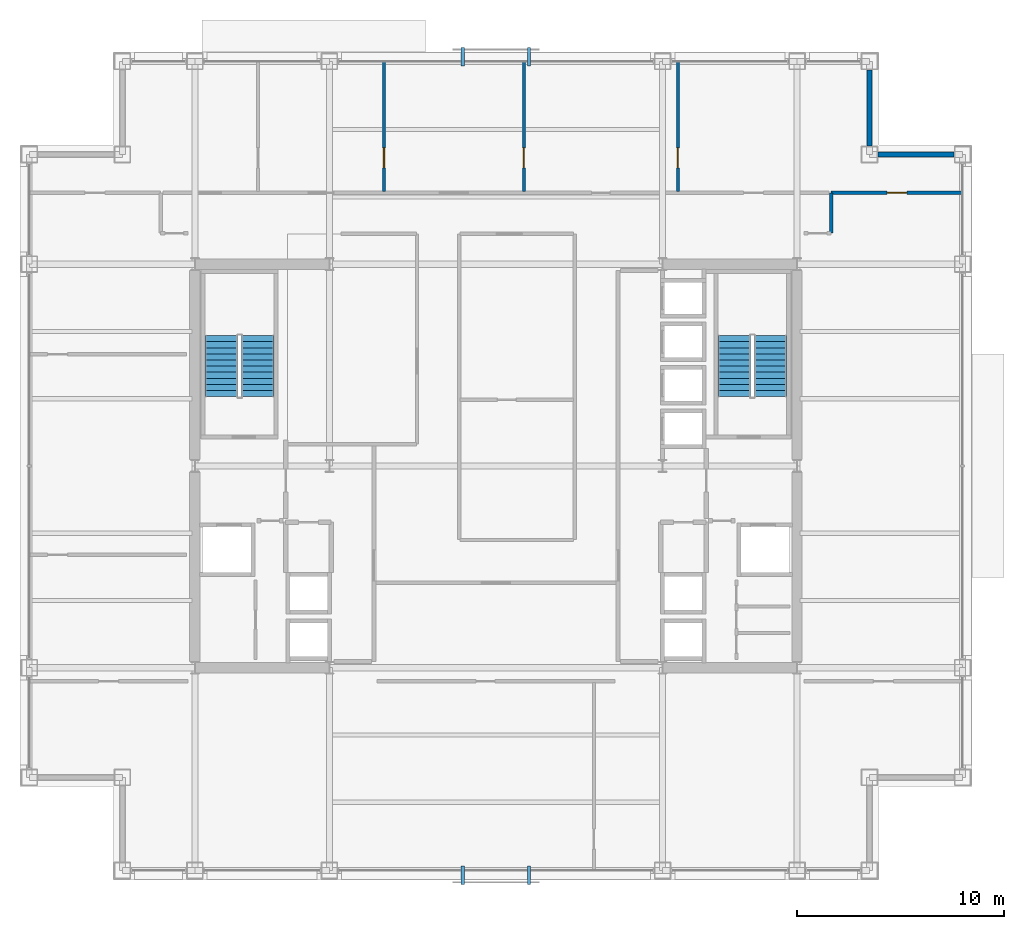
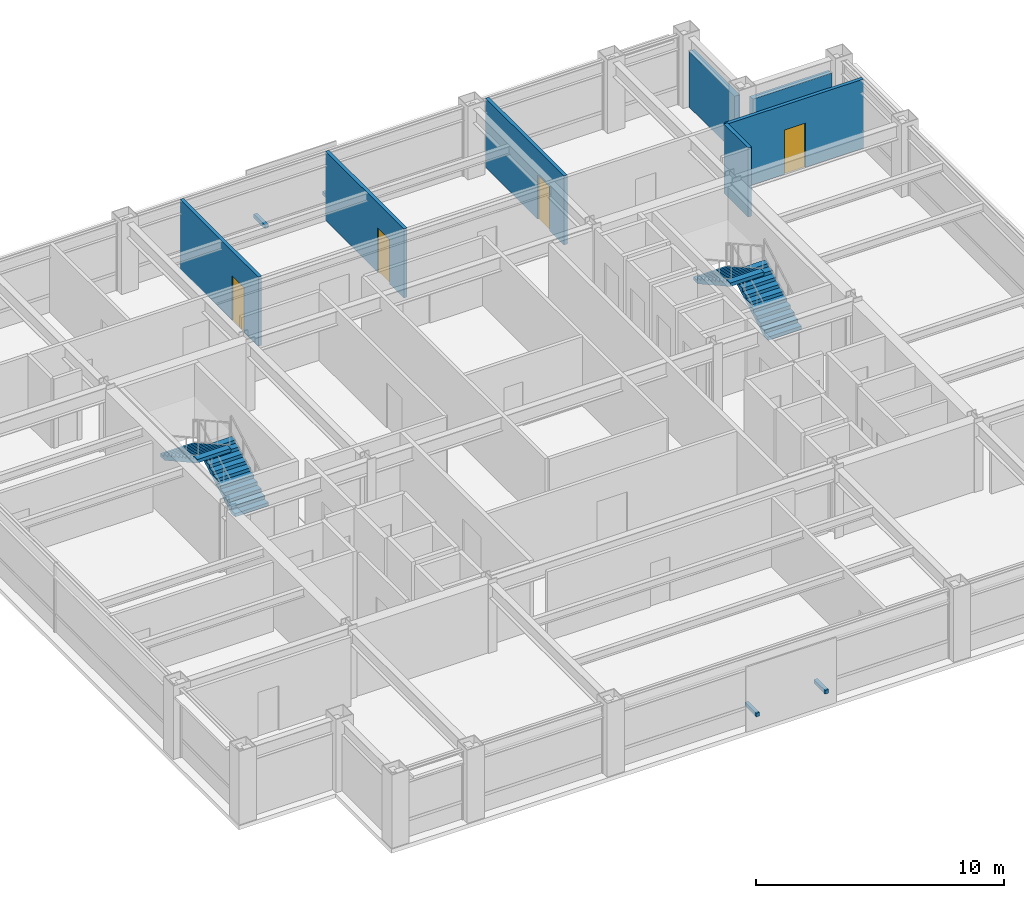
# One storey, part 27 of 28: 7 walls, 4 discrete accessories, 4 doors, 4 stair flights, 4 openings, 2 elements without a shape of their own.
"""IFC4 building model written with IfcOpenShell, lengths in metres."""

from ifc_helpers import new_model, si_unit, direction, frame, frame_2d, origin, origin_2d, place, context, subcontext, project, spatial, polyline, rectangle, outline, extrude, material, layer, layer_set, type_object, element, fill, aggregate, save


model = new_model("IFC4")

# Units and contexts
model_context = context("Model", 3, precision=1e-05, world=origin(), true_north=direction((0.0, 1.0)))
body_context = subcontext(model_context, "Body", "Model", "MODEL_VIEW")
ifc_project = project(units=[si_unit("LENGTHUNIT", "METRE"), si_unit("AREAUNIT", "SQUARE_METRE"), si_unit("VOLUMEUNIT", "CUBIC_METRE"), si_unit("PLANEANGLEUNIT", "RADIAN"), si_unit("MASSUNIT", "GRAM", prefix="KILO")], contexts=[model_context])

# Site, building, storey
site_placement = place(None, origin())
site = spatial("IfcSite", under=ifc_project, at=site_placement, CompositionType="ELEMENT")
building_placement = place(site_placement, origin())
building = spatial("IfcBuilding", under=site, at=building_placement, Name="Brelmoor Portico Tower", CompositionType="ELEMENT")
storey_placement = place(building_placement, frame((0.0, 0.0, 142.199951171875)))
storey = spatial("IfcBuildingStorey", under=building, at=storey_placement, Name="L37", CompositionType="ELEMENT", Elevation=142.199951171875)

# Walls
ifc_material_1 = material(Name="Precast Concrete C40 Insulated Facade Wall", Category="concrete")
ifc_layer_1 = layer(ifc_material_1, 0.25)
ifc_layer_set_1 = layer_set([ifc_layer_1], Name="Precast Concrete C40 Insulated Facade Wall")
wall_type_1 = type_object("IfcWallType", Name="WL-EXT-250", PredefinedType="STANDARD", material=ifc_layer_set_1)
for number, where, z_axis, x_axis, name in (
    (1, (18.4599609375, 15.050048828125, 0.0), (0.0, 0.0, 1.0), (1.0, 0.0, 0.0), "L37 Corner Notch Facade Wall NNEH1"),
    (2, (18.050048828125, 15.4599609375, 0.0), (0.0, 0.0, 1.0), (0.0, 1.0, 0.0), "L37 Corner Notch Facade Wall NNEV1"),
):
    element("IfcWall", number, at=place(storey_placement, frame(where, z_axis=z_axis, x_axis=x_axis)), inside=storey, type_object=wall_type_1, Name=name, PredefinedType="STANDARD", context=body_context, shape_type="SweptSolid", body=[
        extrude(rectangle(XDim=3.679931640625, YDim=0.25, at=frame_2d((1.83984375, 0.0))), origin(), (0.0, 0.0, 1.0), 2.75),
    ])

# Wall, opening, door
ifc_material_2 = material(Name="Twin-Frame Acoustic Partition", Category="gypsum")
ifc_layer_2 = layer(ifc_material_2, 0.159912109375)
ifc_layer_set_2 = layer_set([ifc_layer_2], Name="Twin-Frame Acoustic Partition")
wall_type_2 = type_object("IfcWallType", Name="WL-PART-160", PredefinedType="PARTITIONING", material=ifc_layer_set_2)
wall_1_placement = place(storey_placement, frame((-5.4111328125, 13.260009765625, 0.0), z_axis=(0.0, 0.0, 1.0), x_axis=(0.0, 1.0, 0.0)))
wall_1 = element("IfcWall", 3, at=wall_1_placement, inside=storey, type_object=wall_type_2, Name="L37 North Suite Partition 2", PredefinedType="PARTITIONING", context=body_context, shape_type="SweptSolid", body=[
    extrude(rectangle(XDim=6.300048828125, YDim=0.159912109375, at=frame_2d((3.14990234375, 0.0))), origin(), (0.0, 0.0, 1.0), 3.400146484375),
])
opening_1_placement = place(wall_1_placement, frame((1.14990234375, 0.0, 0.0)))
opening_1 = element("IfcOpeningElement", 4, at=opening_1_placement, cuts=wall_1, Name="Opening D-IN2", PredefinedType="OPENING", context=body_context, shape_type="SweptSolid", body=[
    extrude(rectangle(XDim=0.9599609375, YDim=2.179931640625, at=frame_2d((0.47998046875, 1.08984375))), frame((0.0, 0.08984375, 0.0), z_axis=(0.0, -1.0, 0.0), x_axis=(1.0, 0.0, 0.0)), (0.0, 0.0, 1.0), 0.179931640625),
])
ifc_material_3 = material(Name="Lacquered Timber Suite Door", Category="wood")
door_type = type_object("IfcDoorType", Name="DR-INT-950", OperationType="NOTDEFINED", PredefinedType="DOOR", material=ifc_material_3)
door_1_placement = place(opening_1_placement, origin())
door_1 = element("IfcDoor", 5, at=door_1_placement, inside=storey, type_object=door_type, Name="D-1621 L37 North Suite Connecting Door 2", OperationType="SINGLE_SWING_LEFT", OverallHeight=2.179931640625, OverallWidth=0.9599609375, PredefinedType="DOOR", context=body_context, shape_type="SweptSolid", body=[
    extrude(rectangle(XDim=0.9599609375, YDim=2.179931640625, at=frame_2d((0.47998046875, 1.08984375))), frame((0.0, 0.02490234375, 0.0), z_axis=(0.0, -1.0, 0.0), x_axis=(1.0, 0.0, 0.0)), (0.0, 0.0, 1.0), 0.050048828125),
])
fill(opening_1, door_1)

wall_2_placement = place(storey_placement, frame((1.352783203125, 13.260009765625, 0.0), z_axis=(0.0, 0.0, 1.0), x_axis=(0.0, 1.0, 0.0)))
wall_2 = element("IfcWall", 6, at=wall_2_placement, inside=storey, type_object=wall_type_2, Name="L37 North Suite Partition 3", PredefinedType="PARTITIONING", context=body_context, shape_type="SweptSolid", body=[
    extrude(rectangle(XDim=6.300048828125, YDim=0.159912109375, at=frame_2d((3.14990234375, 0.0))), origin(), (0.0, 0.0, 1.0), 3.400146484375),
])
opening_2_placement = place(wall_2_placement, frame((1.14990234375, 0.0, 0.0)))
opening_2 = element("IfcOpeningElement", 7, at=opening_2_placement, cuts=wall_2, Name="Opening D-IN2", PredefinedType="OPENING", context=body_context, shape_type="SweptSolid", body=[
    extrude(rectangle(XDim=0.9599609375, YDim=2.179931640625, at=frame_2d((0.47998046875, 1.08984375))), frame((0.0, 0.08984375, 0.0), z_axis=(0.0, -1.0, 0.0), x_axis=(1.0, 0.0, 0.0)), (0.0, 0.0, 1.0), 0.179931640625),
])
door_2_placement = place(opening_2_placement, origin())
door_2 = element("IfcDoor", 8, at=door_2_placement, inside=storey, type_object=door_type, Name="D-1622 L37 North Suite Connecting Door 3", OperationType="SINGLE_SWING_RIGHT", OverallHeight=2.179931640625, OverallWidth=0.9599609375, PredefinedType="DOOR", context=body_context, shape_type="SweptSolid", body=[
    extrude(rectangle(XDim=0.9599609375, YDim=2.179931640625, at=frame_2d((0.47998046875, 1.08984375))), frame((0.0, 0.02490234375, 0.0), z_axis=(0.0, -1.0, 0.0), x_axis=(1.0, 0.0, 0.0)), (0.0, 0.0, 1.0), 0.050048828125),
])
fill(opening_2, door_2)

wall_3_placement = place(storey_placement, frame((8.793212890625, 13.260009765625, 0.0), z_axis=(0.0, 0.0, 1.0), x_axis=(0.0, 1.0, 0.0)))
wall_3 = element("IfcWall", 9, at=wall_3_placement, inside=storey, type_object=wall_type_2, Name="L37 North Suite Partition 4", PredefinedType="PARTITIONING", context=body_context, shape_type="SweptSolid", body=[
    extrude(rectangle(XDim=6.300048828125, YDim=0.159912109375, at=frame_2d((3.14990234375, 0.0))), origin(), (0.0, 0.0, 1.0), 3.400146484375),
])
opening_3_placement = place(wall_3_placement, frame((1.14990234375, 0.0, 0.0)))
opening_3 = element("IfcOpeningElement", 10, at=opening_3_placement, cuts=wall_3, Name="Opening D-IN2", PredefinedType="OPENING", context=body_context, shape_type="SweptSolid", body=[
    extrude(rectangle(XDim=0.9599609375, YDim=2.179931640625, at=frame_2d((0.47998046875, 1.08984375))), frame((0.0, 0.08984375, 0.0), z_axis=(0.0, -1.0, 0.0), x_axis=(1.0, 0.0, 0.0)), (0.0, 0.0, 1.0), 0.179931640625),
])
door_3_placement = place(opening_3_placement, origin())
door_3 = element("IfcDoor", 11, at=door_3_placement, inside=storey, type_object=door_type, Name="D-1623 L37 North Suite Connecting Door 4", OperationType="SINGLE_SWING_LEFT", OverallHeight=2.179931640625, OverallWidth=0.9599609375, PredefinedType="DOOR", context=body_context, shape_type="SweptSolid", body=[
    extrude(rectangle(XDim=0.9599609375, YDim=2.179931640625, at=frame_2d((0.47998046875, 1.08984375))), frame((0.0, 0.02490234375, 0.0), z_axis=(0.0, -1.0, 0.0), x_axis=(1.0, 0.0, 0.0)), (0.0, 0.0, 1.0), 0.050048828125),
])
fill(opening_3, door_3)

wall_4_placement = place(storey_placement, frame((16.199951171875, 13.199951171875, 0.0), z_axis=(0.0, 0.0, 1.0), x_axis=(1.0, 0.0, 0.0)))
wall_4 = element("IfcWall", 12, at=wall_4_placement, inside=storey, type_object=wall_type_2, Name="L37 North Wing Closure ER", PredefinedType="PARTITIONING", context=body_context, shape_type="SweptSolid", body=[
    extrude(rectangle(XDim=6.360107421875, YDim=0.159912109375, at=frame_2d((3.18017578125, 0.0))), origin(), (0.0, 0.0, 1.0), 3.400146484375),
])
opening_4_placement = place(wall_4_placement, frame((2.699951171875, 0.0, 0.0)))
opening_4 = element("IfcOpeningElement", 13, at=opening_4_placement, cuts=wall_4, Name="Opening D-IN2", PredefinedType="OPENING", context=body_context, shape_type="SweptSolid", body=[
    extrude(rectangle(XDim=0.9599609375, YDim=2.179931640625, at=frame_2d((0.47998046875, 1.08984375))), frame((0.0, 0.08984375, 0.0), z_axis=(0.0, -1.0, 0.0), x_axis=(1.0, 0.0, 0.0)), (0.0, 0.0, 1.0), 0.179931640625),
])
door_4_placement = place(opening_4_placement, origin())
door_4 = element("IfcDoor", 14, at=door_4_placement, inside=storey, type_object=door_type, Name="D-1624 L37 ER Wing North Suite Door", OperationType="SINGLE_SWING_LEFT", OverallHeight=2.179931640625, OverallWidth=0.9599609375, PredefinedType="DOOR", context=body_context, shape_type="SweptSolid", body=[
    extrude(rectangle(XDim=0.9599609375, YDim=2.179931640625, at=frame_2d((0.47998046875, 1.08984375))), frame((0.0, 0.02490234375, 0.0), z_axis=(0.0, -1.0, 0.0), x_axis=(1.0, 0.0, 0.0)), (0.0, 0.0, 1.0), 0.050048828125),
])
fill(opening_4, door_4)

# Wall
wall_5_placement = place(storey_placement, frame((16.199951171875, 11.25, 0.0), z_axis=(0.0, 0.0, 1.0), x_axis=(0.0, 1.0, 0.0)))
element("IfcWall", 15, at=wall_5_placement, inside=storey, type_object=wall_type_2, Name="L37 E Corridor End Closure", PredefinedType="PARTITIONING", context=body_context, shape_type="SweptSolid", body=[
    extrude(rectangle(XDim=1.949951171875, YDim=0.159912109375, at=frame_2d((0.97509765625, 0.0))), origin(), (0.0, 0.0, 1.0), 3.400146484375),
])

# Stair, stair flights
ifc_material_4 = material(Name="Concrete C40", Category="concrete")
stair_type_1 = type_object("IfcStairType", Name="ST-CORE-W", PredefinedType="HALF_TURN_STAIR", material=ifc_material_4)
stair_1_placement = place(storey_placement, origin())
stair_1 = element("IfcStair", 16, at=stair_1_placement, inside=storey, type_object=stair_type_1, Name="L37 Protected Core Exit Stair ST-W", PredefinedType="HALF_TURN_STAIR")
stair_flight_type = type_object("IfcStairFlightType", Name="SF-CORE-1850", PredefinedType="STRAIGHT", material=ifc_material_4)
stair_flight_1_placement = place(storey_placement, frame((-11.510009765625, 3.35009765625, 0.0), z_axis=(0.0, 0.0, 1.0), x_axis=(0.0, 1.0, 0.0)))
stair_flight_1 = element("IfcStairFlight", 17, at=stair_flight_1_placement, type_object=stair_flight_type, Name="ST-W flight 1", NumberOfRisers=11, NumberOfTreads=10, PredefinedType="STRAIGHT", RiserHeight=0.163636364, TreadLength=0.295, context=body_context, shape_type="SweptSolid", body=[
    extrude(outline(polyline([(0.0, 0.0), (0.0, 0.16357421875), (0.294921875, 0.16357421875), (0.294921875, 0.327392578125), (0.590087890625, 0.327392578125), (0.590087890625, 0.490966796875), (0.885009765625, 0.490966796875), (0.885009765625, 0.654541015625), (1.179931640625, 0.654541015625), (1.179931640625, 0.818115234375), (1.47509765625, 0.818115234375), (1.47509765625, 0.98193359375), (1.77001953125, 0.98193359375), (1.77001953125, 1.1455078125), (2.06494140625, 1.1455078125), (2.06494140625, 1.30908203125), (2.360107421875, 1.30908203125), (2.360107421875, 1.47265625), (2.655029296875, 1.47265625), (2.655029296875, 1.636474609375), (2.949951171875, 1.636474609375), (2.949951171875, 1.800048828125), (2.949951171875, 1.46484375), (0.30908203125, 0.0), (0.0, 0.0)])), frame((0.0, 0.780029296875, 0.0), z_axis=(0.0, -1.0, 0.0), x_axis=(1.0, 0.0, 0.0)), (0.0, 0.0, 1.0), 1.56005859375),
])
stair_flight_2_placement = place(storey_placement, frame((-13.27001953125, 6.300048828125, 1.800048828125), z_axis=(0.0, 0.0, 1.0), x_axis=(0.0, -1.0, 0.0)))
stair_flight_2 = element("IfcStairFlight", 18, at=stair_flight_2_placement, type_object=stair_flight_type, Name="ST-W flight 2", NumberOfRisers=11, NumberOfTreads=10, PredefinedType="STRAIGHT", RiserHeight=0.163636364, TreadLength=0.295, context=body_context, shape_type="SweptSolid", body=[
    extrude(outline(polyline([(0.0, 0.0), (0.0, 0.16357421875), (0.294921875, 0.16357421875), (0.294921875, 0.327392578125), (0.590087890625, 0.327392578125), (0.590087890625, 0.490966796875), (0.885009765625, 0.490966796875), (0.885009765625, 0.654541015625), (1.179931640625, 0.654541015625), (1.179931640625, 0.818115234375), (1.47509765625, 0.818115234375), (1.47509765625, 0.98193359375), (1.77001953125, 0.98193359375), (1.77001953125, 1.1455078125), (2.06494140625, 1.1455078125), (2.06494140625, 1.30908203125), (2.360107421875, 1.30908203125), (2.360107421875, 1.47265625), (2.655029296875, 1.47265625), (2.655029296875, 1.636474609375), (2.949951171875, 1.636474609375), (2.949951171875, 1.800048828125), (2.949951171875, 1.46484375), (0.30908203125, 0.0), (0.0, 0.0)])), frame((0.0, 0.780029296875, 0.0), z_axis=(0.0, -1.0, 0.0), x_axis=(1.0, 0.0, 0.0)), (0.0, 0.0, 1.0), 1.56005859375),
])
aggregate(stair_1, [stair_flight_1, stair_flight_2])

stair_type_2 = type_object("IfcStairType", Name="ST-CORE-E", PredefinedType="HALF_TURN_STAIR", material=ifc_material_4)
stair_2_placement = place(storey_placement, origin())
stair_2 = element("IfcStair", 19, at=stair_2_placement, inside=storey, type_object=stair_type_2, Name="L37 Protected Core Exit Stair ST-E", PredefinedType="HALF_TURN_STAIR")
stair_flight_3_placement = place(storey_placement, frame((13.27001953125, 3.35009765625, 0.0), z_axis=(0.0, 0.0, 1.0), x_axis=(0.0, 1.0, 0.0)))
stair_flight_3 = element("IfcStairFlight", 20, at=stair_flight_3_placement, type_object=stair_flight_type, Name="ST-E flight 1", NumberOfRisers=11, NumberOfTreads=10, PredefinedType="STRAIGHT", RiserHeight=0.163636364, TreadLength=0.295, context=body_context, shape_type="SweptSolid", body=[
    extrude(outline(polyline([(0.0, 0.0), (0.0, 0.16357421875), (0.294921875, 0.16357421875), (0.294921875, 0.327392578125), (0.590087890625, 0.327392578125), (0.590087890625, 0.490966796875), (0.885009765625, 0.490966796875), (0.885009765625, 0.654541015625), (1.179931640625, 0.654541015625), (1.179931640625, 0.818115234375), (1.47509765625, 0.818115234375), (1.47509765625, 0.98193359375), (1.77001953125, 0.98193359375), (1.77001953125, 1.1455078125), (2.06494140625, 1.1455078125), (2.06494140625, 1.30908203125), (2.360107421875, 1.30908203125), (2.360107421875, 1.47265625), (2.655029296875, 1.47265625), (2.655029296875, 1.636474609375), (2.949951171875, 1.636474609375), (2.949951171875, 1.800048828125), (2.949951171875, 1.46484375), (0.30908203125, 0.0), (0.0, 0.0)])), frame((0.0, 0.780029296875, 0.0), z_axis=(0.0, -1.0, 0.0), x_axis=(1.0, 0.0, 0.0)), (0.0, 0.0, 1.0), 1.56005859375),
])
stair_flight_4_placement = place(storey_placement, frame((11.510009765625, 6.300048828125, 1.800048828125), z_axis=(0.0, 0.0, 1.0), x_axis=(0.0, -1.0, 0.0)))
stair_flight_4 = element("IfcStairFlight", 21, at=stair_flight_4_placement, type_object=stair_flight_type, Name="ST-E flight 2", NumberOfRisers=11, NumberOfTreads=10, PredefinedType="STRAIGHT", RiserHeight=0.163636364, TreadLength=0.295, context=body_context, shape_type="SweptSolid", body=[
    extrude(outline(polyline([(0.0, 0.0), (0.0, 0.16357421875), (0.294921875, 0.16357421875), (0.294921875, 0.327392578125), (0.590087890625, 0.327392578125), (0.590087890625, 0.490966796875), (0.885009765625, 0.490966796875), (0.885009765625, 0.654541015625), (1.179931640625, 0.654541015625), (1.179931640625, 0.818115234375), (1.47509765625, 0.818115234375), (1.47509765625, 0.98193359375), (1.77001953125, 0.98193359375), (1.77001953125, 1.1455078125), (2.06494140625, 1.1455078125), (2.06494140625, 1.30908203125), (2.360107421875, 1.30908203125), (2.360107421875, 1.47265625), (2.655029296875, 1.47265625), (2.655029296875, 1.636474609375), (2.949951171875, 1.636474609375), (2.949951171875, 1.800048828125), (2.949951171875, 1.46484375), (0.30908203125, 0.0), (0.0, 0.0)])), frame((0.0, 0.780029296875, 0.0), z_axis=(0.0, -1.0, 0.0), x_axis=(1.0, 0.0, 0.0)), (0.0, 0.0, 1.0), 1.56005859375),
])
aggregate(stair_2, [stair_flight_3, stair_flight_4])

# Discrete accessories
ifc_material_5 = material(Name="Galvanised Steel Q355B", Category="steel")
discrete_accessory_type = type_object("IfcDiscreteAccessoryType", Name="DA-SCREEN-BRACKET", PredefinedType="BRACKET", material=ifc_material_5)
for number, where, z_axis, x_axis, name in (
    (22, (-1.60009765625, -19.780029296875, 0.76025390625), (0.0, 0.0, 1.0), (1.0, 0.0, 0.0), "L37 Solar Screen Bracket S1A"),
    (23, (1.60009765625, -19.780029296875, 0.76025390625), (0.0, 0.0, 1.0), (1.0, 0.0, 0.0), "L37 Solar Screen Bracket S1B"),
    (24, (-1.60009765625, 19.780029296875, 0.76025390625), (0.0, 0.0, 1.0), (1.0, 0.0, 0.0), "L37 Solar Screen Bracket N1A"),
    (25, (1.60009765625, 19.780029296875, 0.76025390625), (0.0, 0.0, 1.0), (1.0, 0.0, 0.0), "L37 Solar Screen Bracket N1B"),
):
    element("IfcDiscreteAccessory", number, at=place(storey_placement, frame(where, z_axis=z_axis, x_axis=x_axis)), inside=storey, type_object=discrete_accessory_type, Name=name, PredefinedType="BRACKET", context=body_context, shape_type="SweptSolid", body=[
        extrude(rectangle(XDim=0.159912109375, YDim=0.89990234375, at=origin_2d()), origin(), (0.0, 0.0, 1.0), 0.179931640625),
    ])

save(model, "model.ifc")
